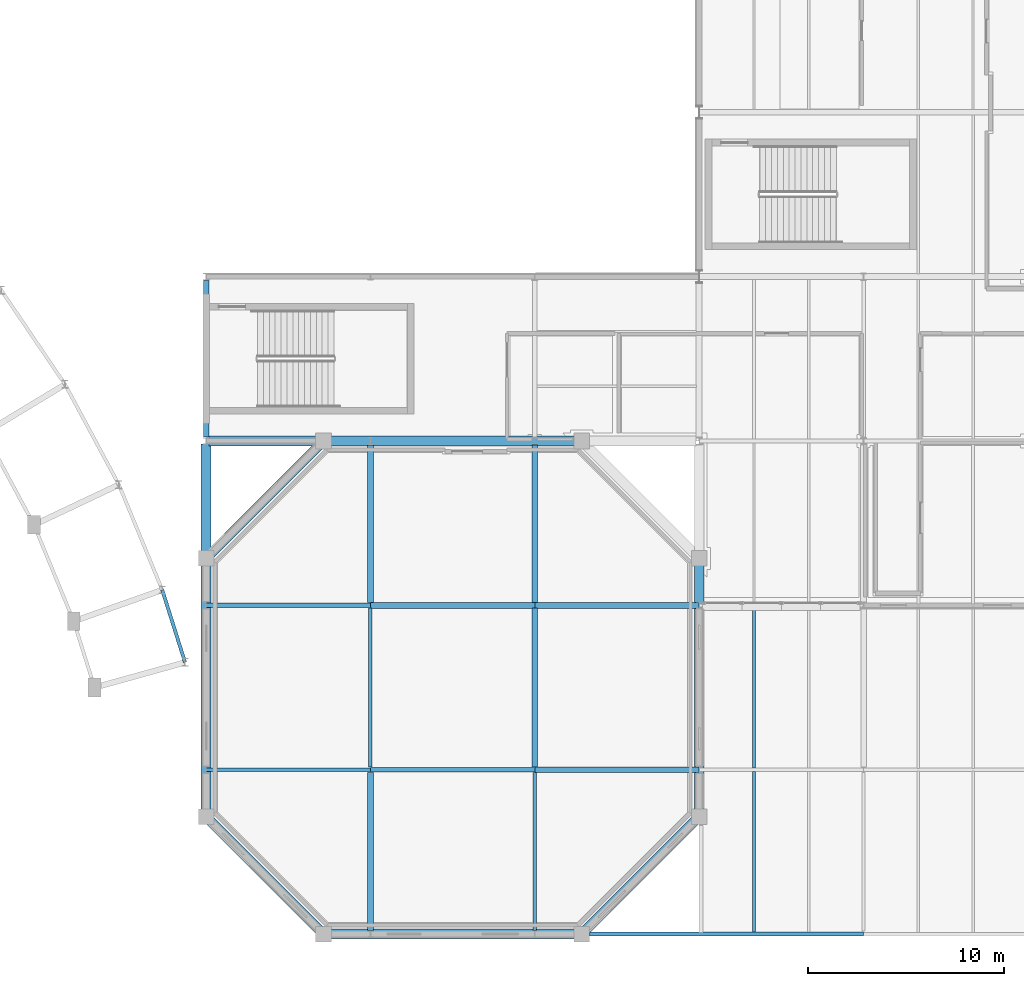
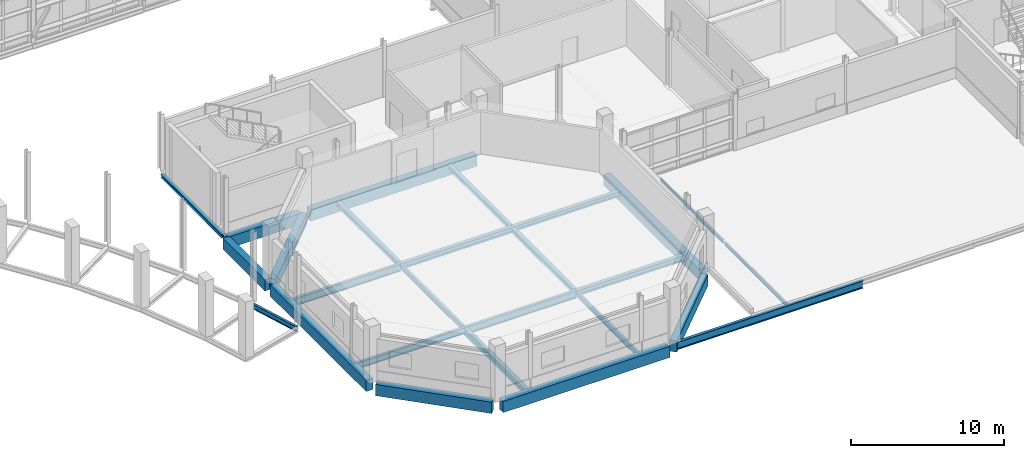
# One storey, part 22 of 129: 26 beams.
"""IFC4 building model written with IfcOpenShell, lengths in metres."""

from ifc_helpers import new_model, si_unit, direction, frame, origin, origin_2d, place, context, subcontext, project, spatial, rectangle, i_section, extrude, material, material_profile, profile_set, type_object, element, save


model = new_model("IFC4")

# Units and contexts
model_context = context("Model", 3, precision=1e-05, world=origin(), true_north=direction((0.0, 1.0)))
body_context = subcontext(model_context, "Body", "Model", "MODEL_VIEW")
ifc_project = project(units=[si_unit("LENGTHUNIT", "METRE"), si_unit("AREAUNIT", "SQUARE_METRE"), si_unit("VOLUMEUNIT", "CUBIC_METRE"), si_unit("PLANEANGLEUNIT", "RADIAN"), si_unit("MASSUNIT", "GRAM", prefix="KILO")], contexts=[model_context])

# Site, building, storey
site_placement = place(None, origin())
site = spatial("IfcSite", under=ifc_project, at=site_placement, CompositionType="ELEMENT")
building_placement = place(site_placement, origin())
building = spatial("IfcBuilding", under=site, at=building_placement, Name="Mersafa Astral City Hall", CompositionType="ELEMENT")
storey_placement = place(building_placement, frame((0.0, 0.0, 5.39990234375)))
storey = spatial("IfcBuildingStorey", under=building, at=storey_placement, Name="L01", CompositionType="ELEMENT", Elevation=5.39990234375)

# Beams
ifc_material_1 = material(Name="Concrete C40/50", Category="concrete")
ifc_material_profile_1 = material_profile(ifc_material_1, rectangle(XDim=0.5, YDim=0.89990234375, at=origin_2d()), Name="RC 500x900")
ifc_profile_set_1 = profile_set([ifc_material_profile_1], Name="Concrete C40/50")
beam_type_1 = type_object("IfcBeamType", Name="STR-BM-DRUM-RC500X900", PredefinedType="BEAM", material=ifc_profile_set_1)
beam_1_placement = place(storey_placement, frame((73.510009765625, 0.0, -0.6748046875), z_axis=(1.0, 0.0, 0.0), x_axis=(0.0, 1.0, 0.0)))
element("IfcBeam", 1, at=beam_1_placement, inside=storey, type_object=beam_type_1, Name="L01 Chamber drum ring beam 1", PredefinedType="BEAM", context=body_context, shape_type="SweptSolid", body=[
    extrude(rectangle(XDim=0.5, YDim=0.89990234375, at=origin_2d()), origin(), (0.0, 0.0, 1.0), 12.580078125),
])
beam_2_placement = place(storey_placement, frame((86.619140625, 0.21923828125, -0.6748046875), z_axis=(0.707122301018, 0.707091261015, 0.0), x_axis=(-0.707091261015, 0.707122301018, 0.0)))
element("IfcBeam", 2, at=beam_2_placement, inside=storey, type_object=beam_type_1, Name="L01 Chamber drum ring beam 2", PredefinedType="BEAM", context=body_context, shape_type="SweptSolid", body=[
    extrude(rectangle(XDim=0.5, YDim=0.89990234375, at=origin_2d()), origin(), (0.0, 0.0, 1.0), 7.865234375),
])
beam_3_placement = place(storey_placement, frame((92.39990234375, 6.31005859375, -0.6748046875), z_axis=(0.0, 1.0, 0.0), x_axis=(-1.0, 0.0, 0.0)))
element("IfcBeam", 3, at=beam_3_placement, inside=storey, type_object=beam_type_1, Name="L01 Chamber drum ring beam 3", PredefinedType="BEAM", context=body_context, shape_type="SweptSolid", body=[
    extrude(rectangle(XDim=0.5, YDim=0.89990234375, at=origin_2d()), origin(), (0.0, 0.0, 1.0), 12.579833984375),
])
beam_4_placement = place(storey_placement, frame((86.090087890625, 25.199951171875, -0.6748046875), z_axis=(-1.0, 0.0, 0.0), x_axis=(0.0, -1.0, 0.0)))
element("IfcBeam", 4, at=beam_4_placement, inside=storey, type_object=beam_type_1, Name="L01 Chamber drum ring beam 5", PredefinedType="BEAM", context=body_context, shape_type="SweptSolid", body=[
    extrude(rectangle(XDim=0.5, YDim=0.89990234375, at=origin_2d()), origin(), (0.0, 0.0, 1.0), 12.580078125),
])
beam_5_placement = place(storey_placement, frame((72.980712890625, 24.980712890625, -0.6748046875), z_axis=(-0.707106781187, -0.707106781187, 0.0), x_axis=(0.707106781187, -0.707106781187, 0.0)))
element("IfcBeam", 5, at=beam_5_placement, inside=storey, type_object=beam_type_1, Name="L01 Chamber drum ring beam 6", PredefinedType="BEAM", context=body_context, shape_type="SweptSolid", body=[
    extrude(rectangle(XDim=0.5, YDim=0.89990234375, at=origin_2d()), origin(), (0.0, 0.0, 1.0), 7.865234375),
])
beam_6_placement = place(storey_placement, frame((67.199951171875, 18.889892578125, -0.6748046875), z_axis=(0.0, -1.0, 0.0), x_axis=(1.0, 0.0, 0.0)))
element("IfcBeam", 6, at=beam_6_placement, inside=storey, type_object=beam_type_1, Name="L01 Chamber drum ring beam 7", PredefinedType="BEAM", context=body_context, shape_type="SweptSolid", body=[
    extrude(rectangle(XDim=0.5, YDim=0.89990234375, at=origin_2d()), origin(), (0.0, 0.0, 1.0), 12.579833984375),
])
beam_7_placement = place(storey_placement, frame((67.419189453125, 5.78076171875, -0.6748046875), z_axis=(0.707106781187, -0.707106781187, 0.0), x_axis=(0.707106781187, 0.707106781187, 0.0)))
element("IfcBeam", 7, at=beam_7_placement, inside=storey, type_object=beam_type_1, Name="L01 Chamber drum ring beam 8", PredefinedType="BEAM", context=body_context, shape_type="SweptSolid", body=[
    extrude(rectangle(XDim=0.5, YDim=0.89990234375, at=origin_2d()), origin(), (0.0, 0.0, 1.0), 7.865234375),
])
for number, where, z_axis, x_axis, name in (
    (8, (67.199951171875, 19.550048828125, -0.6748046875), (0.0, 1.0, 0.0), (-1.0, 0.0, 0.0), "L01 Chamber W frame tie beam"),
    (9, (67.35009765625, 25.199951171875, -0.6748046875), (1.0, 0.0, 0.0), (0.0, 1.0, 0.0), "L01 Chamber NW foyer tie beam"),
):
    element("IfcBeam", number, at=place(storey_placement, frame(where, z_axis=z_axis, x_axis=x_axis)), inside=storey, type_object=beam_type_1, Name=name, PredefinedType="BEAM", context=body_context, shape_type="SweptSolid", body=[
        extrude(rectangle(XDim=0.5, YDim=0.89990234375, at=origin_2d()), origin(), (0.0, 0.0, 1.0), 5.5),
    ])
ifc_material_2 = material(Name="Steel S355", Category="steel")
ifc_material_profile_2 = material_profile(ifc_material_2, i_section(OverallWidth=0.300048828125, OverallDepth=0.31005859375, WebThickness=0.009033203125, FlangeThickness=0.015380859375, FilletRadius=0.027099609375, at=origin_2d()), Name="HEA 320")
ifc_profile_set_2 = profile_set([ifc_material_profile_2], Name="Steel S355")
beam_type_2 = type_object("IfcBeamType", Name="STR-BM-HEA320", PredefinedType="BEAM", material=ifc_profile_set_2)
beam_8_placement = place(storey_placement, frame((84.0, 16.945068359375, -0.3798828125), z_axis=(0.0, 1.0, 0.0), x_axis=(-1.0, 0.0, 0.0)))
element("IfcBeam", 10, at=beam_8_placement, inside=storey, type_object=beam_type_2, Name="L01 Primary girder Y 10-2", PredefinedType="BEAM", context=body_context, shape_type="SweptSolid", body=[
    extrude(i_section(OverallWidth=0.300048828125, OverallDepth=0.31005859375, WebThickness=0.009033203125, FlangeThickness=0.015380859375, FilletRadius=0.027099609375, at=origin_2d()), origin(), (0.0, 0.0, 1.0), 8.059814453125),
])
ifc_material_profile_3 = material_profile(ifc_material_2, i_section(OverallWidth=0.300048828125, OverallDepth=0.35009765625, WebThickness=0.010009765625, FlangeThickness=0.017578125, FilletRadius=0.027099609375, at=origin_2d()), Name="HEA 360")
ifc_profile_set_3 = profile_set([ifc_material_profile_3], Name="Steel S355")
beam_type_3 = type_object("IfcBeamType", Name="STR-BM-HEA360", PredefinedType="BEAM", material=ifc_profile_set_3)
beam_9_placement = place(storey_placement, frame((75.60009765625, 16.945068359375, -0.39990234375), z_axis=(0.0, 1.0, 0.0), x_axis=(-1.0, 0.0, 0.0)))
element("IfcBeam", 11, at=beam_9_placement, inside=storey, type_object=beam_type_3, Name="L01 Primary girder Y 9-2", PredefinedType="BEAM", context=body_context, shape_type="SweptSolid", body=[
    extrude(i_section(OverallWidth=0.300048828125, OverallDepth=0.35009765625, WebThickness=0.010009765625, FlangeThickness=0.017578125, FilletRadius=0.027099609375, at=origin_2d()), origin(), (0.0, 0.0, 1.0), 8.059814453125),
])
beam_10_placement = place(storey_placement, frame((84.0, 8.544921875, -0.39990234375), z_axis=(0.0, 1.0, 0.0), x_axis=(-1.0, 0.0, 0.0)))
element("IfcBeam", 12, at=beam_10_placement, inside=storey, type_object=beam_type_3, Name="L01 Primary girder Y 10-1", PredefinedType="BEAM", context=body_context, shape_type="SweptSolid", body=[
    extrude(i_section(OverallWidth=0.300048828125, OverallDepth=0.35009765625, WebThickness=0.010009765625, FlangeThickness=0.017578125, FilletRadius=0.027099609375, at=origin_2d()), origin(), (0.0, 0.0, 1.0), 8.110107421875),
])
ifc_material_profile_4 = material_profile(ifc_material_2, i_section(OverallWidth=0.300048828125, OverallDepth=0.389892578125, WebThickness=0.010986328125, FlangeThickness=0.01904296875, FilletRadius=0.027099609375, at=origin_2d()), Name="HEA 400")
ifc_profile_set_4 = profile_set([ifc_material_profile_4], Name="Steel S355")
beam_type_4 = type_object("IfcBeamType", Name="STR-BM-HEA400", PredefinedType="BEAM", material=ifc_profile_set_4)
beam_11_placement = place(storey_placement, frame((84.0029296875, 16.800048828125, -0.419921875), z_axis=(1.0, 0.0, 0.0), x_axis=(0.0, 1.0, 0.0)))
element("IfcBeam", 13, at=beam_11_placement, inside=storey, type_object=beam_type_4, Name="L01 Primary girder X 10-2", PredefinedType="BEAM", context=body_context, shape_type="SweptSolid", body=[
    extrude(i_section(OverallWidth=0.300048828125, OverallDepth=0.389892578125, WebThickness=0.010986328125, FlangeThickness=0.01904296875, FilletRadius=0.027099609375, at=origin_2d()), origin(), (0.0, 0.0, 1.0), 8.39404296875),
])
ifc_material_profile_5 = material_profile(ifc_material_2, i_section(OverallWidth=0.300048828125, OverallDepth=0.43994140625, WebThickness=0.011474609375, FlangeThickness=0.02099609375, FilletRadius=0.027099609375, at=origin_2d()), Name="HEA 450")
ifc_profile_set_5 = profile_set([ifc_material_profile_5], Name="Steel S355")
beam_type_5 = type_object("IfcBeamType", Name="STR-BM-HEA450", PredefinedType="BEAM", material=ifc_profile_set_5)
for number, where, z_axis, x_axis, name in (
    (14, (84.0029296875, 8.39990234375, -0.44482421875), (1.0, 0.0, 0.0), (0.0, 1.0, 0.0), "L01 Primary girder X 10-1"),
    (15, (75.60302734375, 16.800048828125, -0.44482421875), (1.0, 0.0, 0.0), (0.0, 1.0, 0.0), "L01 Primary girder X 9-2"),
):
    element("IfcBeam", number, at=place(storey_placement, frame(where, z_axis=z_axis, x_axis=x_axis)), inside=storey, type_object=beam_type_5, Name=name, PredefinedType="BEAM", context=body_context, shape_type="SweptSolid", body=[
        extrude(i_section(OverallWidth=0.300048828125, OverallDepth=0.43994140625, WebThickness=0.011474609375, FlangeThickness=0.02099609375, FilletRadius=0.027099609375, at=origin_2d()), origin(), (0.0, 0.0, 1.0), 8.39404296875),
    ])
ifc_material_profile_6 = material_profile(ifc_material_2, i_section(OverallWidth=0.300048828125, OverallDepth=0.489990234375, WebThickness=0.011962890625, FlangeThickness=0.02294921875, FilletRadius=0.027099609375, at=origin_2d()), Name="HEA 500")
ifc_profile_set_6 = profile_set([ifc_material_profile_6], Name="Steel S355")
beam_type_6 = type_object("IfcBeamType", Name="STR-BM-HEA500", PredefinedType="BEAM", material=ifc_profile_set_6)
beam_12_placement = place(storey_placement, frame((75.60009765625, 0.195068359375, -0.469970703125), z_axis=(0.0, 1.0, 0.0), x_axis=(-1.0, 0.0, 0.0)))
element("IfcBeam", 16, at=beam_12_placement, inside=storey, type_object=beam_type_6, Name="L01 Primary girder Y 9-0", PredefinedType="BEAM", context=body_context, shape_type="SweptSolid", body=[
    extrude(i_section(OverallWidth=0.300048828125, OverallDepth=0.489990234375, WebThickness=0.011962890625, FlangeThickness=0.02294921875, FilletRadius=0.027099609375, at=origin_2d()), origin(), (0.0, 0.0, 1.0), 8.059814453125),
])
ifc_material_profile_7 = material_profile(ifc_material_2, i_section(OverallWidth=0.179931640625, OverallDepth=0.39990234375, WebThickness=0.008544921875, FlangeThickness=0.013427734375, FilletRadius=0.02099609375, at=origin_2d()), Name="IPE 400")
ifc_profile_set_7 = profile_set([ifc_material_profile_7], Name="Steel S355")
beam_type_7 = type_object("IfcBeamType", Name="STR-BM-IPE400", PredefinedType="BEAM", material=ifc_profile_set_7)
beam_13_placement = place(storey_placement, frame((75.60009765625, 8.544921875, -0.4248046875), z_axis=(0.0, 1.0, 0.0), x_axis=(-1.0, 0.0, 0.0)))
element("IfcBeam", 17, at=beam_13_placement, inside=storey, type_object=beam_type_7, Name="L01 Primary girder Y 9-1", PredefinedType="BEAM", context=body_context, shape_type="SweptSolid", body=[
    extrude(i_section(OverallWidth=0.179931640625, OverallDepth=0.39990234375, WebThickness=0.008544921875, FlangeThickness=0.013427734375, FilletRadius=0.02099609375, at=origin_2d()), origin(), (0.0, 0.0, 1.0), 8.110107421875),
])
beam_14_placement = place(storey_placement, frame((84.0, 0.195068359375, -0.4248046875), z_axis=(0.0, 1.0, 0.0), x_axis=(-1.0, 0.0, 0.0)))
element("IfcBeam", 18, at=beam_14_placement, inside=storey, type_object=beam_type_7, Name="L01 Primary girder Y 10-0", PredefinedType="BEAM", context=body_context, shape_type="SweptSolid", body=[
    extrude(i_section(OverallWidth=0.179931640625, OverallDepth=0.39990234375, WebThickness=0.008544921875, FlangeThickness=0.013427734375, FilletRadius=0.02099609375, at=origin_2d()), origin(), (0.0, 0.0, 1.0), 8.059814453125),
])
beam_15_placement = place(storey_placement, frame((64.958984375, 17.585693359375, -0.429931640625), z_axis=(0.300498946627, -0.953782146549, 0.0), x_axis=(0.953782146549, 0.300498946627, 0.0)))
element("IfcBeam", 19, at=beam_15_placement, inside=storey, type_object=beam_type_7, Name="L01 Arcade inner colonnade tie beam 10", PredefinedType="BEAM", context=body_context, shape_type="SweptSolid", body=[
    extrude(i_section(OverallWidth=0.179931640625, OverallDepth=0.39990234375, WebThickness=0.008544921875, FlangeThickness=0.013427734375, FilletRadius=0.02099609375, at=origin_2d()), origin(), (0.0, 0.0, 1.0), 3.88037109375),
])
ifc_material_profile_8 = material_profile(ifc_material_2, i_section(OverallWidth=0.199951171875, OverallDepth=0.5, WebThickness=0.01025390625, FlangeThickness=0.01611328125, FilletRadius=0.02099609375, at=origin_2d()), Name="IPE 500")
ifc_profile_set_8 = profile_set([ifc_material_profile_8], Name="Steel S355")
beam_type_8 = type_object("IfcBeamType", Name="STR-BM-IPE500", PredefinedType="BEAM", material=ifc_profile_set_8)
beam_16_placement = place(storey_placement, frame((67.202880859375, 8.39990234375, -0.474853515625), z_axis=(1.0, 0.0, 0.0), x_axis=(0.0, 1.0, 0.0)))
element("IfcBeam", 20, at=beam_16_placement, inside=storey, type_object=beam_type_8, Name="L01 Primary girder X 8-1", PredefinedType="BEAM", context=body_context, shape_type="SweptSolid", body=[
    extrude(i_section(OverallWidth=0.199951171875, OverallDepth=0.5, WebThickness=0.01025390625, FlangeThickness=0.01611328125, FilletRadius=0.02099609375, at=origin_2d()), origin(), (0.0, 0.0, 1.0), 8.39404296875),
])
ifc_material_profile_9 = material_profile(ifc_material_2, i_section(OverallWidth=0.219970703125, OverallDepth=0.60009765625, WebThickness=0.011962890625, FlangeThickness=0.01904296875, FilletRadius=0.02392578125, at=origin_2d()), Name="IPE 600")
ifc_profile_set_9 = profile_set([ifc_material_profile_9], Name="Steel S355")
beam_type_9 = type_object("IfcBeamType", Name="STR-BM-IPE600", PredefinedType="BEAM", material=ifc_profile_set_9)
for number, where, z_axis, x_axis, name in (
    (21, (75.60302734375, 8.39990234375, -0.52490234375), (1.0, 0.0, 0.0), (0.0, 1.0, 0.0), "L01 Primary girder X 9-1"),
    (22, (67.202880859375, 16.800048828125, -0.52490234375), (1.0, 0.0, 0.0), (0.0, 1.0, 0.0), "L01 Primary girder X 8-2"),
):
    element("IfcBeam", number, at=place(storey_placement, frame(where, z_axis=z_axis, x_axis=x_axis)), inside=storey, type_object=beam_type_9, Name=name, PredefinedType="BEAM", context=body_context, shape_type="SweptSolid", body=[
        extrude(i_section(OverallWidth=0.219970703125, OverallDepth=0.60009765625, WebThickness=0.011962890625, FlangeThickness=0.01904296875, FilletRadius=0.02392578125, at=origin_2d()), origin(), (0.0, 0.0, 1.0), 8.39404296875),
    ])
beam_17_placement = place(storey_placement, frame((86.804931640625, 0.0, -0.52490234375), z_axis=(1.0, 0.0, 0.0), x_axis=(0.0, 1.0, 0.0)))
element("IfcBeam", 23, at=beam_17_placement, inside=storey, type_object=beam_type_9, Name="L01 Primary girder X 11-0", PredefinedType="BEAM", context=body_context, shape_type="SweptSolid", body=[
    extrude(i_section(OverallWidth=0.219970703125, OverallDepth=0.60009765625, WebThickness=0.011962890625, FlangeThickness=0.01904296875, FilletRadius=0.02392578125, at=origin_2d()), origin(), (0.0, 0.0, 1.0), 13.989990234375),
])
ifc_material_profile_10 = material_profile(ifc_material_2, i_section(OverallWidth=0.135009765625, OverallDepth=0.27001953125, WebThickness=0.006591796875, FlangeThickness=0.01025390625, FilletRadius=0.014892578125, at=origin_2d()), Name="IPE 270")
ifc_profile_set_10 = profile_set([ifc_material_profile_10], Name="Steel S355")
beam_type_10 = type_object("IfcBeamType", Name="STR-BM-JOIST-IPE270", PredefinedType="JOIST", material=ifc_profile_set_10)
beam_18_placement = place(storey_placement, frame((95.199951171875, 8.47998046875, -0.35986328125), z_axis=(0.0, 1.0, 0.0), x_axis=(-1.0, 0.0, 0.0)))
element("IfcBeam", 24, at=beam_18_placement, inside=storey, type_object=beam_type_10, Name="L01 Flat roof secondary joist 29", PredefinedType="JOIST", context=body_context, shape_type="SweptSolid", body=[
    extrude(i_section(OverallWidth=0.135009765625, OverallDepth=0.27001953125, WebThickness=0.006591796875, FlangeThickness=0.01025390625, FilletRadius=0.014892578125, at=origin_2d()), origin(), (0.0, 0.0, 1.0), 8.2451171875),
])
beam_19_placement = place(storey_placement, frame((95.199951171875, 0.10498046875, -0.35986328125), z_axis=(0.0, 1.0, 0.0), x_axis=(-1.0, 0.0, 0.0)))
element("IfcBeam", 25, at=beam_19_placement, inside=storey, type_object=beam_type_10, Name="L01 Flat roof secondary joist 47", PredefinedType="JOIST", context=body_context, shape_type="SweptSolid", body=[
    extrude(i_section(OverallWidth=0.135009765625, OverallDepth=0.27001953125, WebThickness=0.006591796875, FlangeThickness=0.01025390625, FilletRadius=0.014892578125, at=origin_2d()), origin(), (0.0, 0.0, 1.0), 8.215087890625),
])
ifc_material_profile_11 = material_profile(ifc_material_2, i_section(OverallWidth=0.280029296875, OverallDepth=0.27001953125, WebThickness=0.008056640625, FlangeThickness=0.012939453125, FilletRadius=0.02392578125, at=origin_2d()), Name="HEA 280")
ifc_profile_set_11 = profile_set([ifc_material_profile_11], Name="Steel S355")
beam_type_11 = type_object("IfcBeamType", Name="STR-BM-SPANDREL-HEA280", PredefinedType="SPANDREL", material=ifc_profile_set_11)
beam_20_placement = place(storey_placement, frame((67.199951171875, 25.39501953125, -0.35986328125), z_axis=(0.0, 1.0, 0.0), x_axis=(-1.0, 0.0, 0.0)))
element("IfcBeam", 26, at=beam_20_placement, inside=storey, type_object=beam_type_11, Name="L01 Primary girder Y 8-3", PredefinedType="SPANDREL", context=body_context, shape_type="SweptSolid", body=[
    extrude(i_section(OverallWidth=0.280029296875, OverallDepth=0.27001953125, WebThickness=0.008056640625, FlangeThickness=0.012939453125, FilletRadius=0.02392578125, at=origin_2d()), origin(), (0.0, 0.0, 1.0), 8.010009765625),
])

save(model, "model.ifc")
